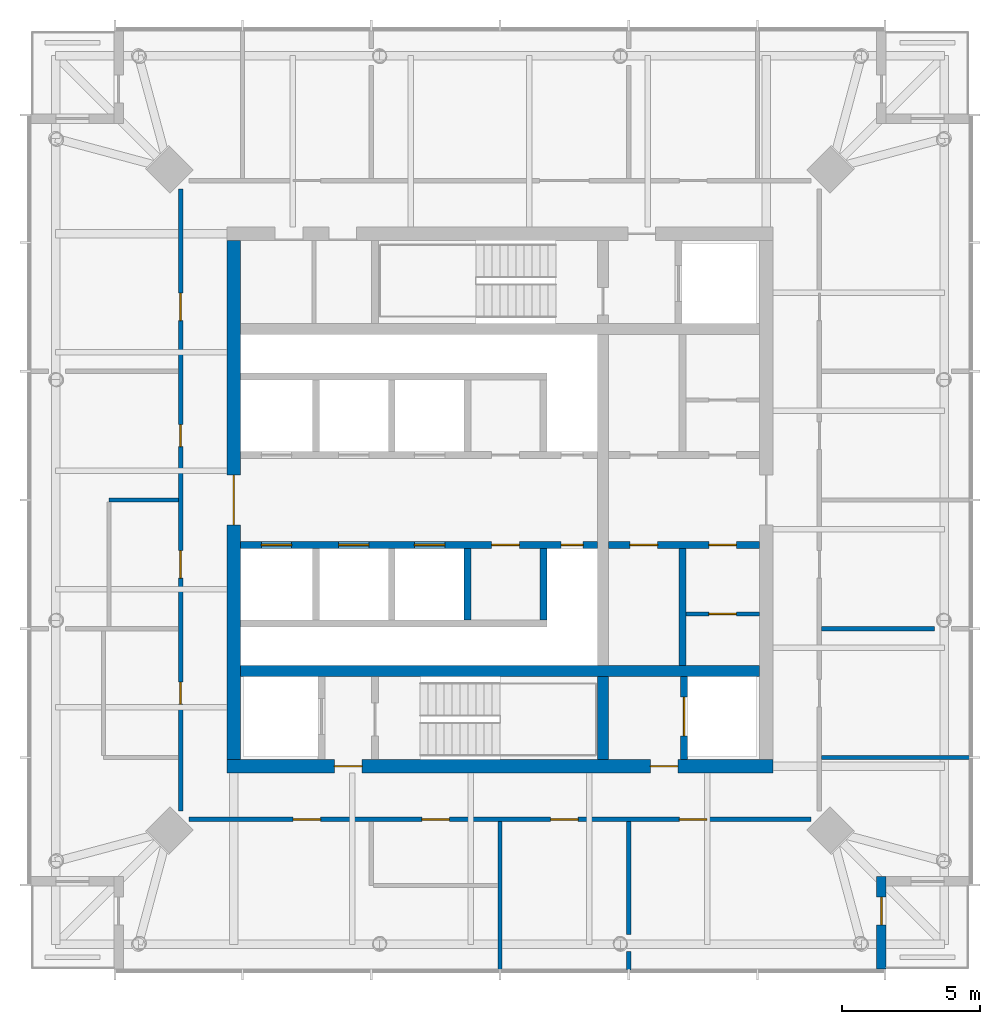
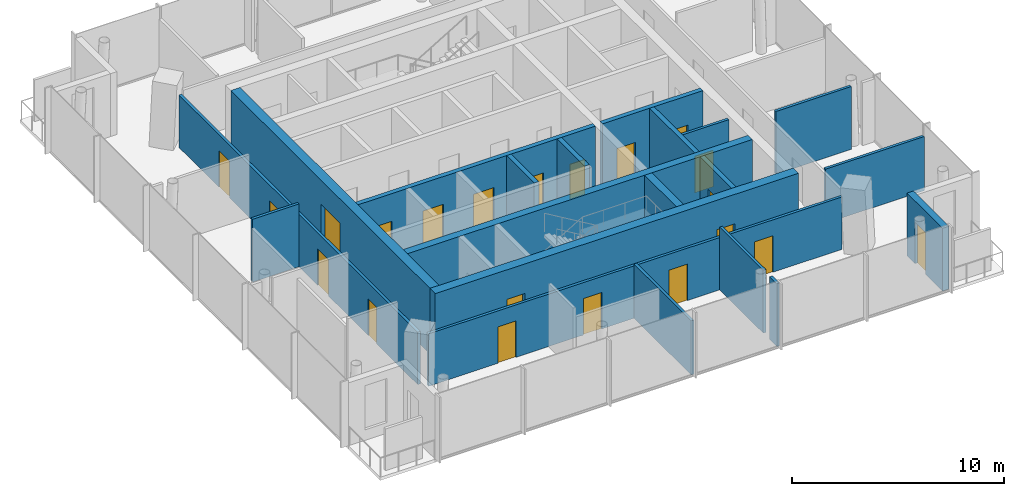
# One storey, part 4 of 7: 21 doors, 20 walls, 21 openings.
"""IFC4 building model written with IfcOpenShell, lengths in metres."""

from ifc_helpers import new_model, si_unit, direction, frame, frame_2d, origin, place, context, subcontext, project, spatial, rectangle, extrude, material, layer, layer_set, type_object, element, fill, save


model = new_model("IFC4")

# Units and contexts
model_context = context("Model", 3, precision=1e-05, world=origin(), true_north=direction((0.0, 1.0)))
body_context = subcontext(model_context, "Body", "Model", "MODEL_VIEW")
ifc_project = project(units=[si_unit("LENGTHUNIT", "METRE"), si_unit("AREAUNIT", "SQUARE_METRE"), si_unit("VOLUMEUNIT", "CUBIC_METRE"), si_unit("PLANEANGLEUNIT", "RADIAN"), si_unit("MASSUNIT", "GRAM", prefix="KILO")], contexts=[model_context])

# Site, building, storey
site_placement = place(None, origin())
site = spatial("IfcSite", under=ifc_project, at=site_placement, CompositionType="ELEMENT")
building_placement = place(site_placement, origin())
building = spatial("IfcBuilding", under=site, at=building_placement, Name="Ostroluk Exchange", CompositionType="ELEMENT")
storey_placement = place(building_placement, frame((0.0, 0.0, 268.0)))
storey = spatial("IfcBuildingStorey", under=building, at=storey_placement, Name="L69", CompositionType="ELEMENT", Elevation=268.0)

# Wall, opening, door
ifc_material_1 = material(Name="Concrete blockwork", Category="masonry")
ifc_layer_1 = layer(ifc_material_1, 0.14990234375)
ifc_layer_set_1 = layer_set([ifc_layer_1], Name="Blockwork plant room wall 150")
wall_type_1 = type_object("IfcWallType", Name="Blockwork plant room wall 150", PredefinedType="SOLIDWALL", material=ifc_layer_set_1)
wall_1_placement = place(storey_placement, frame((51.739990234375, 41.8701171875, 0.0), z_axis=(0.0, 0.0, 1.0), x_axis=(1.0, 0.0, 0.0)))
wall_1 = element("IfcWall", 1, at=wall_1_placement, inside=storey, type_object=wall_type_1, Name="Core room wall", PredefinedType="SOLIDWALL", context=body_context, shape_type="SweptSolid", body=[
    extrude(rectangle(XDim=2.659912109375, YDim=0.14990234375, at=frame_2d((1.330078125, 0.0))), origin(), (0.0, 0.0, 1.0), 3.6201171875),
])
opening_1_placement = place(wall_1_placement, frame((0.830078125, 0.0, 0.0)))
opening_1 = element("IfcOpeningElement", 2, at=opening_1_placement, cuts=wall_1, Name="Opening FD60", PredefinedType="OPENING", context=body_context, shape_type="SweptSolid", body=[
    extrude(rectangle(XDim=1.0, YDim=2.10009765625, at=frame_2d((0.5, 1.050048828125))), frame((0.0, 0.0849609375, 0.0), z_axis=(0.0, -1.0, 0.0), x_axis=(1.0, 0.0, 0.0)), (0.0, 0.0, 1.0), 0.169921875),
])
ifc_material_2 = material(Name="Steel", Category="steel")
door_type_1 = type_object("IfcDoorType", Name="Fire door EI 60 1000 x 2100", OperationType="SINGLE_SWING_LEFT", PredefinedType="DOOR", material=ifc_material_2)
door_1_placement = place(opening_1_placement, origin())
door_1 = element("IfcDoor", 3, at=door_1_placement, inside=storey, type_object=door_type_1, Name="Store door", OperationType="SINGLE_SWING_RIGHT", OverallHeight=2.10009765625, OverallWidth=1.0, PredefinedType="DOOR", context=body_context, shape_type="SweptSolid", body=[
    extrude(rectangle(XDim=1.0, YDim=2.10009765625, at=frame_2d((0.5, 1.050048828125))), frame((0.0, 0.02490234375, 0.0), z_axis=(0.0, -1.0, 0.0), x_axis=(1.0, 0.0, 0.0)), (0.0, 0.0, 1.0), 0.050048828125),
])
fill(opening_1, door_1)

# Walls
ifc_material_3 = material(Name="Concrete C50/60", Category="concrete")
ifc_layer_2 = layer(ifc_material_3, 0.39990234375)
ifc_layer_set_2 = layer_set([ifc_layer_2], Name="Core cross wall 400 C50/60")
wall_type_2 = type_object("IfcWallType", Name="Core cross wall 400 C50/60", PredefinedType="SHEAR", material=ifc_layer_set_2)
wall_2_placement = place(storey_placement, frame((35.60009765625, 39.800048828125, 0.0), z_axis=(0.0, 0.0, 1.0), x_axis=(1.0, 0.0, 0.0)))
element("IfcWall", 4, at=wall_2_placement, inside=storey, type_object=wall_type_2, Name="T1 core wall XS", PredefinedType="SHEAR", context=body_context, shape_type="SweptSolid", body=[
    extrude(rectangle(XDim=18.7998046875, YDim=0.39990234375, at=frame_2d((9.39990234375, 0.0))), origin(), (0.0, 0.0, 1.0), 3.800048828125),
])
wall_3_placement = place(storey_placement, frame((48.72998046875, 36.60009765625, 0.0), z_axis=(0.0, 0.0, 1.0), x_axis=(0.0, 1.0, 0.0)))
element("IfcWall", 5, at=wall_3_placement, inside=storey, type_object=wall_type_2, Name="T1 core wall YE1", PredefinedType="SHEAR", context=body_context, shape_type="SweptSolid", body=[
    extrude(rectangle(XDim=3.0, YDim=0.39990234375, at=frame_2d((1.5, 0.0))), origin(), (0.0, 0.0, 1.0), 3.800048828125),
])

# Wall, opening, door
ifc_material_4 = material(Name="Concrete C40/50", Category="concrete")
ifc_layer_3 = layer(ifc_material_4, 0.25)
ifc_layer_set_3 = layer_set([ifc_layer_3], Name="Core shaft wall 250")
wall_type_3 = type_object("IfcWallType", Name="Core shaft wall 250", PredefinedType="SHEAR", material=ifc_layer_set_3)
wall_4_placement = place(storey_placement, frame((51.675048828125, 36.60009765625, 0.0), z_axis=(0.0, 0.0, 1.0), x_axis=(0.0, 1.0, 0.0)))
wall_4 = element("IfcWall", 6, at=wall_4_placement, inside=storey, type_object=wall_type_3, Name="Service lift shaft wall", PredefinedType="SHEAR", context=body_context, shape_type="SweptSolid", body=[
    extrude(rectangle(XDim=3.0, YDim=0.25, at=frame_2d((1.5, 0.0))), origin(), (0.0, 0.0, 1.0), 3.800048828125),
])
opening_2_placement = place(wall_4_placement, frame((0.85009765625, 0.0, 0.0)))
opening_2 = element("IfcOpeningElement", 7, at=opening_2_placement, cuts=wall_4, Name="Opening LD3", PredefinedType="OPENING", context=body_context, shape_type="SweptSolid", body=[
    extrude(rectangle(XDim=1.39990234375, YDim=2.39990234375, at=frame_2d((0.699951171875, 1.199951171875))), frame((0.0, 0.135009765625, 0.0), z_axis=(0.0, -1.0, 0.0), x_axis=(1.0, 0.0, 0.0)), (0.0, 0.0, 1.0), 0.27001953125),
])
ifc_material_5 = material(Name="Stainless steel", Category="steel")
door_type_2 = type_object("IfcDoorType", Name="Goods lift landing door E 60 1400 x 2400", OperationType="DOUBLE_DOOR_SLIDING", PredefinedType="DOOR", material=ifc_material_5)
door_2_placement = place(opening_2_placement, origin())
door_2 = element("IfcDoor", 8, at=door_2_placement, inside=storey, type_object=door_type_2, Name="Lift SL1 landing door", OperationType="DOUBLE_DOOR_SLIDING", OverallHeight=2.39990234375, OverallWidth=1.39990234375, PredefinedType="DOOR", context=body_context, shape_type="SweptSolid", body=[
    extrude(rectangle(XDim=1.39990234375, YDim=2.39990234375, at=frame_2d((0.699951171875, 1.199951171875))), frame((0.0, 0.02490234375, 0.0), z_axis=(0.0, -1.0, 0.0), x_axis=(1.0, 0.0, 0.0)), (0.0, 0.0, 1.0), 0.050048828125),
])
fill(opening_2, door_2)

# Walls
for number, where, z_axis, x_axis, name in (
    (9, (43.824951171875, 44.25, 0.0), (0.0, 0.0, 1.0), (0.0, -1.0, 0.0), "Lift shaft wall"),
    (10, (46.574951171875, 44.25, 0.0), (0.0, 0.0, 1.0), (0.0, -1.0, 0.0), "Lift shaft wall"),
):
    element("IfcWall", number, at=place(storey_placement, frame(where, z_axis=z_axis, x_axis=x_axis)), inside=storey, type_object=wall_type_3, Name=name, PredefinedType="SHEAR", context=body_context, shape_type="SweptSolid", body=[
        extrude(rectangle(XDim=2.60009765625, YDim=0.25, at=frame_2d((1.300048828125, 0.0))), origin(), (0.0, 0.0, 1.0), 3.800048828125),
    ])

# Wall, openings, doors
wall_5_placement = place(storey_placement, frame((35.60009765625, 44.375, 0.0), z_axis=(0.0, 0.0, 1.0), x_axis=(1.0, 0.0, 0.0)))
wall_5 = element("IfcWall", 11, at=wall_5_placement, inside=storey, type_object=wall_type_3, Name="Lift shaft front wall", PredefinedType="SHEAR", context=body_context, shape_type="SweptSolid", body=[
    extrude(rectangle(XDim=12.929931640625, YDim=0.25, at=frame_2d((6.46484375, 0.0))), origin(), (0.0, 0.0, 1.0), 3.800048828125),
])
opening_3_placement = place(wall_5_placement, frame((0.75, 0.0, 0.0)))
opening_3 = element("IfcOpeningElement", 12, at=opening_3_placement, cuts=wall_5, Name="Opening LD", PredefinedType="OPENING", context=body_context, shape_type="SweptSolid", body=[
    extrude(rectangle(XDim=1.10009765625, YDim=2.199951171875, at=frame_2d((0.550048828125, 1.10009765625))), frame((0.0, 0.135009765625, 0.0), z_axis=(0.0, -1.0, 0.0), x_axis=(1.0, 0.0, 0.0)), (0.0, 0.0, 1.0), 0.27001953125),
])
opening_4_placement = place(wall_5_placement, frame((3.550048828125, 0.0, 0.0)))
opening_4 = element("IfcOpeningElement", 13, at=opening_4_placement, cuts=wall_5, Name="Opening LD", PredefinedType="OPENING", context=body_context, shape_type="SweptSolid", body=[
    extrude(rectangle(XDim=1.10009765625, YDim=2.199951171875, at=frame_2d((0.550048828125, 1.10009765625))), frame((0.0, 0.135009765625, 0.0), z_axis=(0.0, -1.0, 0.0), x_axis=(1.0, 0.0, 0.0)), (0.0, 0.0, 1.0), 0.27001953125),
])
opening_5_placement = place(wall_5_placement, frame((6.300048828125, 0.0, 0.0)))
opening_5 = element("IfcOpeningElement", 14, at=opening_5_placement, cuts=wall_5, Name="Opening LD", PredefinedType="OPENING", context=body_context, shape_type="SweptSolid", body=[
    extrude(rectangle(XDim=1.10009765625, YDim=2.199951171875, at=frame_2d((0.550048828125, 1.10009765625))), frame((0.0, 0.135009765625, 0.0), z_axis=(0.0, -1.0, 0.0), x_axis=(1.0, 0.0, 0.0)), (0.0, 0.0, 1.0), 0.27001953125),
])
opening_6_placement = place(wall_5_placement, frame((9.10009765625, 0.0, 0.0)))
opening_6 = element("IfcOpeningElement", 15, at=opening_6_placement, cuts=wall_5, Name="Opening FD60", PredefinedType="OPENING", context=body_context, shape_type="SweptSolid", body=[
    extrude(rectangle(XDim=1.0, YDim=2.10009765625, at=frame_2d((0.5, 1.050048828125))), frame((0.0, 0.135009765625, 0.0), z_axis=(0.0, -1.0, 0.0), x_axis=(1.0, 0.0, 0.0)), (0.0, 0.0, 1.0), 0.27001953125),
])
opening_7_placement = place(wall_5_placement, frame((11.614990234375, 0.0, 0.0)))
opening_7 = element("IfcOpeningElement", 16, at=opening_7_placement, cuts=wall_5, Name="Opening RD60", PredefinedType="OPENING", context=body_context, shape_type="SweptSolid", body=[
    extrude(rectangle(XDim=0.800048828125, YDim=2.0, at=frame_2d((0.39990234375, 1.0))), frame((0.0, 0.135009765625, 0.0), z_axis=(0.0, -1.0, 0.0), x_axis=(1.0, 0.0, 0.0)), (0.0, 0.0, 1.0), 0.27001953125),
])
door_3_placement = place(opening_6_placement, origin())
door_3 = element("IfcDoor", 17, at=door_3_placement, inside=storey, type_object=door_type_1, Name="Core room door", OperationType="SINGLE_SWING_RIGHT", OverallHeight=2.10009765625, OverallWidth=1.0, PredefinedType="DOOR", context=body_context, shape_type="SweptSolid", body=[
    extrude(rectangle(XDim=1.0, YDim=2.10009765625, at=frame_2d((0.5, 1.050048828125))), frame((0.0, 0.02490234375, 0.0), z_axis=(0.0, -1.0, 0.0), x_axis=(1.0, 0.0, 0.0)), (0.0, 0.0, 1.0), 0.050048828125),
])
fill(opening_6, door_3)
ifc_material_6 = material(Name="Stainless steel", Category="steel")
door_type_3 = type_object("IfcDoorType", Name="Lift landing door E 60 1100 x 2200", OperationType="DOUBLE_DOOR_SLIDING", PredefinedType="DOOR", material=ifc_material_6)
door_4_placement = place(opening_3_placement, origin())
door_4 = element("IfcDoor", 18, at=door_4_placement, inside=storey, type_object=door_type_3, Name="Lift PL-T4 landing door", OperationType="DOUBLE_DOOR_SLIDING", OverallHeight=2.199951171875, OverallWidth=1.10009765625, PredefinedType="DOOR", context=body_context, shape_type="SweptSolid", body=[
    extrude(rectangle(XDim=1.10009765625, YDim=2.199951171875, at=frame_2d((0.550048828125, 1.10009765625))), frame((0.0, 0.02490234375, 0.0), z_axis=(0.0, -1.0, 0.0), x_axis=(1.0, 0.0, 0.0)), (0.0, 0.0, 1.0), 0.050048828125),
])
fill(opening_3, door_4)
door_5_placement = place(opening_4_placement, origin())
door_5 = element("IfcDoor", 19, at=door_5_placement, inside=storey, type_object=door_type_3, Name="Lift PL-T5 landing door", OperationType="DOUBLE_DOOR_SLIDING", OverallHeight=2.199951171875, OverallWidth=1.10009765625, PredefinedType="DOOR", context=body_context, shape_type="SweptSolid", body=[
    extrude(rectangle(XDim=1.10009765625, YDim=2.199951171875, at=frame_2d((0.550048828125, 1.10009765625))), frame((0.0, 0.02490234375, 0.0), z_axis=(0.0, -1.0, 0.0), x_axis=(1.0, 0.0, 0.0)), (0.0, 0.0, 1.0), 0.050048828125),
])
fill(opening_4, door_5)
door_6_placement = place(opening_5_placement, origin())
door_6 = element("IfcDoor", 20, at=door_6_placement, inside=storey, type_object=door_type_3, Name="Lift PL-T6 landing door", OperationType="DOUBLE_DOOR_SLIDING", OverallHeight=2.199951171875, OverallWidth=1.10009765625, PredefinedType="DOOR", context=body_context, shape_type="SweptSolid", body=[
    extrude(rectangle(XDim=1.10009765625, YDim=2.199951171875, at=frame_2d((0.550048828125, 1.10009765625))), frame((0.0, 0.02490234375, 0.0), z_axis=(0.0, -1.0, 0.0), x_axis=(1.0, 0.0, 0.0)), (0.0, 0.0, 1.0), 0.050048828125),
])
fill(opening_5, door_6)
ifc_material_7 = material(Name="Steel", Category="steel")
door_type_4 = type_object("IfcDoorType", Name="Riser access door EI 60 800 x 2000", OperationType="SINGLE_SWING_LEFT", PredefinedType="DOOR", material=ifc_material_7)
door_7_placement = place(opening_7_placement, origin())
door_7 = element("IfcDoor", 21, at=door_7_placement, inside=storey, type_object=door_type_4, Name="Riser access door", OperationType="SINGLE_SWING_RIGHT", OverallHeight=2.0, OverallWidth=0.800048828125, PredefinedType="DOOR", context=body_context, shape_type="SweptSolid", body=[
    extrude(rectangle(XDim=0.800048828125, YDim=2.0, at=frame_2d((0.39990234375, 1.0))), frame((0.0, 0.02490234375, 0.0), z_axis=(0.0, -1.0, 0.0), x_axis=(1.0, 0.0, 0.0)), (0.0, 0.0, 1.0), 0.050048828125),
])
fill(opening_7, door_7)

# Wall
wall_6_placement = place(storey_placement, frame((51.614990234375, 44.25, 0.0), z_axis=(0.0, 0.0, 1.0), x_axis=(0.0, -1.0, 0.0)))
element("IfcWall", 22, at=wall_6_placement, inside=storey, type_object=wall_type_3, Name="Lift shaft wall", PredefinedType="SHEAR", context=body_context, shape_type="SweptSolid", body=[
    extrude(rectangle(XDim=4.25, YDim=0.25, at=frame_2d((2.125, 0.0))), origin(), (0.0, 0.0, 1.0), 3.800048828125),
])

# Wall, openings, doors
wall_7_placement = place(storey_placement, frame((48.929931640625, 44.375, 0.0), z_axis=(0.0, 0.0, 1.0), x_axis=(1.0, 0.0, 0.0)))
wall_7 = element("IfcWall", 23, at=wall_7_placement, inside=storey, type_object=wall_type_3, Name="Lift shaft front wall", PredefinedType="SHEAR", context=body_context, shape_type="SweptSolid", body=[
    extrude(rectangle(XDim=5.469970703125, YDim=0.25, at=frame_2d((2.73486328125, 0.0))), origin(), (0.0, 0.0, 1.0), 3.800048828125),
])
opening_8_placement = place(wall_7_placement, frame((0.780029296875, 0.0, 0.0)))
opening_8 = element("IfcOpeningElement", 24, at=opening_8_placement, cuts=wall_7, Name="Opening FD60", PredefinedType="OPENING", context=body_context, shape_type="SweptSolid", body=[
    extrude(rectangle(XDim=1.0, YDim=2.10009765625, at=frame_2d((0.5, 1.050048828125))), frame((0.0, 0.135009765625, 0.0), z_axis=(0.0, -1.0, 0.0), x_axis=(1.0, 0.0, 0.0)), (0.0, 0.0, 1.0), 0.27001953125),
])
opening_9_placement = place(wall_7_placement, frame((3.639892578125, 0.0, 0.0)))
opening_9 = element("IfcOpeningElement", 25, at=opening_9_placement, cuts=wall_7, Name="Opening FD60", PredefinedType="OPENING", context=body_context, shape_type="SweptSolid", body=[
    extrude(rectangle(XDim=1.0, YDim=2.10009765625, at=frame_2d((0.5, 1.050048828125))), frame((0.0, 0.135009765625, 0.0), z_axis=(0.0, -1.0, 0.0), x_axis=(1.0, 0.0, 0.0)), (0.0, 0.0, 1.0), 0.27001953125),
])
door_8_placement = place(opening_8_placement, origin())
door_8 = element("IfcDoor", 26, at=door_8_placement, inside=storey, type_object=door_type_1, Name="Core room door", OperationType="SINGLE_SWING_LEFT", OverallHeight=2.10009765625, OverallWidth=1.0, PredefinedType="DOOR", context=body_context, shape_type="SweptSolid", body=[
    extrude(rectangle(XDim=1.0, YDim=2.10009765625, at=frame_2d((0.5, 1.050048828125))), frame((0.0, 0.02490234375, 0.0), z_axis=(0.0, -1.0, 0.0), x_axis=(1.0, 0.0, 0.0)), (0.0, 0.0, 1.0), 0.050048828125),
])
fill(opening_8, door_8)
door_9_placement = place(opening_9_placement, origin())
door_9 = element("IfcDoor", 27, at=door_9_placement, inside=storey, type_object=door_type_1, Name="Core room door", OperationType="SINGLE_SWING_RIGHT", OverallHeight=2.10009765625, OverallWidth=1.0, PredefinedType="DOOR", context=body_context, shape_type="SweptSolid", body=[
    extrude(rectangle(XDim=1.0, YDim=2.10009765625, at=frame_2d((0.5, 1.050048828125))), frame((0.0, 0.02490234375, 0.0), z_axis=(0.0, -1.0, 0.0), x_axis=(1.0, 0.0, 0.0)), (0.0, 0.0, 1.0), 0.050048828125),
])
fill(opening_9, door_9)

ifc_material_8 = material(Name="Concrete C50/60", Category="concrete")
ifc_layer_4 = layer(ifc_material_8, 0.5)
ifc_layer_set_4 = layer_set([ifc_layer_4], Name="Core wall 500 C50/60")
wall_type_4 = type_object("IfcWallType", Name="Core wall 500 C50/60", PredefinedType="SHEAR", material=ifc_layer_set_4)
wall_8_placement = place(storey_placement, frame((35.10009765625, 36.35009765625, 0.0), z_axis=(0.0, 0.0, 1.0), x_axis=(1.0, 0.0, 0.0)))
wall_8 = element("IfcWall", 28, at=wall_8_placement, inside=storey, type_object=wall_type_4, Name="T1 core wall S", PredefinedType="SHEAR", context=body_context, shape_type="SweptSolid", body=[
    extrude(rectangle(XDim=19.7998046875, YDim=0.5, at=frame_2d((9.89990234375, 0.0))), origin(), (0.0, 0.0, 1.0), 3.800048828125),
])
opening_10_placement = place(wall_8_placement, frame((3.89990234375, 0.0, 0.0)))
opening_10 = element("IfcOpeningElement", 29, at=opening_10_placement, cuts=wall_8, Name="Opening FD60", PredefinedType="OPENING", context=body_context, shape_type="SweptSolid", body=[
    extrude(rectangle(XDim=1.0, YDim=2.10009765625, at=frame_2d((0.5, 1.050048828125))), frame((0.0, 0.260009765625, 0.0), z_axis=(0.0, -1.0, 0.0), x_axis=(1.0, 0.0, 0.0)), (0.0, 0.0, 1.0), 0.52001953125),
])
opening_11_placement = place(wall_8_placement, frame((15.35009765625, 0.0, 0.0)))
opening_11 = element("IfcOpeningElement", 30, at=opening_11_placement, cuts=wall_8, Name="Opening FD60", PredefinedType="OPENING", context=body_context, shape_type="SweptSolid", body=[
    extrude(rectangle(XDim=1.0, YDim=2.10009765625, at=frame_2d((0.5, 1.050048828125))), frame((0.0, 0.260009765625, 0.0), z_axis=(0.0, -1.0, 0.0), x_axis=(1.0, 0.0, 0.0)), (0.0, 0.0, 1.0), 0.52001953125),
])
door_10_placement = place(opening_10_placement, origin())
door_10 = element("IfcDoor", 31, at=door_10_placement, inside=storey, type_object=door_type_1, Name="Firefighting lobby door", OperationType="SINGLE_SWING_LEFT", OverallHeight=2.10009765625, OverallWidth=1.0, PredefinedType="DOOR", context=body_context, shape_type="SweptSolid", body=[
    extrude(rectangle(XDim=1.0, YDim=2.10009765625, at=frame_2d((0.5, 1.050048828125))), frame((0.0, 0.02490234375, 0.0), z_axis=(0.0, -1.0, 0.0), x_axis=(1.0, 0.0, 0.0)), (0.0, 0.0, 1.0), 0.050048828125),
])
fill(opening_10, door_10)
door_11_placement = place(opening_11_placement, origin())
door_11 = element("IfcDoor", 32, at=door_11_placement, inside=storey, type_object=door_type_1, Name="Service lobby door", OperationType="SINGLE_SWING_RIGHT", OverallHeight=2.10009765625, OverallWidth=1.0, PredefinedType="DOOR", context=body_context, shape_type="SweptSolid", body=[
    extrude(rectangle(XDim=1.0, YDim=2.10009765625, at=frame_2d((0.5, 1.050048828125))), frame((0.0, 0.02490234375, 0.0), z_axis=(0.0, -1.0, 0.0), x_axis=(1.0, 0.0, 0.0)), (0.0, 0.0, 1.0), 0.050048828125),
])
fill(opening_11, door_11)

# Wall, opening, door
wall_9_placement = place(storey_placement, frame((35.35009765625, 36.60009765625, 0.0), z_axis=(0.0, 0.0, 1.0), x_axis=(0.0, 1.0, 0.0)))
wall_9 = element("IfcWall", 33, at=wall_9_placement, inside=storey, type_object=wall_type_4, Name="T1 core wall W", PredefinedType="SHEAR", context=body_context, shape_type="SweptSolid", body=[
    extrude(rectangle(XDim=18.7998046875, YDim=0.5, at=frame_2d((9.39990234375, 0.0))), origin(), (0.0, 0.0, 1.0), 3.800048828125),
])
opening_12_placement = place(wall_9_placement, frame((8.5, 0.0, 0.0)))
opening_12 = element("IfcOpeningElement", 34, at=opening_12_placement, cuts=wall_9, Name="Opening FD30D", PredefinedType="OPENING", context=body_context, shape_type="SweptSolid", body=[
    extrude(rectangle(XDim=1.800048828125, YDim=2.39990234375, at=frame_2d((0.89990234375, 1.199951171875))), frame((0.0, 0.260009765625, 0.0), z_axis=(0.0, -1.0, 0.0), x_axis=(1.0, 0.0, 0.0)), (0.0, 0.0, 1.0), 0.52001953125),
])
ifc_material_9 = material(Name="Timber", Category="wood")
door_type_5 = type_object("IfcDoorType", Name="Lobby double door EI 30 1800 x 2400", OperationType="DOUBLE_DOOR_SINGLE_SWING", PredefinedType="DOOR", material=ifc_material_9)
door_12_placement = place(opening_12_placement, origin())
door_12 = element("IfcDoor", 35, at=door_12_placement, inside=storey, type_object=door_type_5, Name="Lift lobby doors", OperationType="DOUBLE_DOOR_SINGLE_SWING", OverallHeight=2.39990234375, OverallWidth=1.800048828125, PredefinedType="DOOR", context=body_context, shape_type="SweptSolid", body=[
    extrude(rectangle(XDim=1.800048828125, YDim=2.39990234375, at=frame_2d((0.89990234375, 1.199951171875))), frame((0.0, 0.02490234375, 0.0), z_axis=(0.0, -1.0, 0.0), x_axis=(1.0, 0.0, 0.0)), (0.0, 0.0, 1.0), 0.050048828125),
])
fill(opening_12, door_12)

ifc_material_10 = material(Name="Limestone", Category="masonry")
ifc_layer_5 = layer(ifc_material_10, 0.35009765625)
ifc_layer_set_5 = layer_set([ifc_layer_5], Name="Limestone facade wall 350")
wall_type_5 = type_object("IfcWallType", Name="Limestone facade wall 350", PredefinedType="SOLIDWALL", material=ifc_layer_set_5)
wall_10_placement = place(storey_placement, frame((58.824951171875, 29.0, 0.0), z_axis=(0.0, 0.0, 1.0), x_axis=(0.0, 1.0, 0.0)))
wall_10 = element("IfcWall", 36, at=wall_10_placement, inside=storey, type_object=wall_type_5, Name="Office tower SE corner wall L69 a", PredefinedType="SOLIDWALL", context=body_context, shape_type="SweptSolid", body=[
    extrude(rectangle(XDim=3.35009765625, YDim=0.35009765625, at=frame_2d((1.675048828125, 0.0))), origin(), (0.0, 0.0, 1.0), 3.6201171875),
])
opening_13_placement = place(wall_10_placement, frame((1.60009765625, 0.0, 0.0)))
opening_13 = element("IfcOpeningElement", 37, at=opening_13_placement, cuts=wall_10, Name="Opening D-B1", PredefinedType="OPENING", context=body_context, shape_type="SweptSolid", body=[
    extrude(rectangle(XDim=1.0, YDim=2.39990234375, at=frame_2d((0.5, 1.199951171875))), frame((0.0, 0.18505859375, 0.0), z_axis=(0.0, -1.0, 0.0), x_axis=(1.0, 0.0, 0.0)), (0.0, 0.0, 1.0), 0.3701171875),
])
ifc_material_11 = material(Name="Bronze framed glazed door", Category="aluminium")
door_type_6 = type_object("IfcDoorType", Name="Balcony door 1000 x 2400", OperationType="SINGLE_SWING_LEFT", PredefinedType="DOOR", material=ifc_material_11)
door_13_placement = place(opening_13_placement, origin())
door_13 = element("IfcDoor", 38, at=door_13_placement, inside=storey, type_object=door_type_6, Name="Office tower SE balcony door L69", OperationType="SINGLE_SWING_RIGHT", OverallHeight=2.39990234375, OverallWidth=1.0, PredefinedType="DOOR", context=body_context, shape_type="SweptSolid", body=[
    extrude(rectangle(XDim=1.0, YDim=2.39990234375, at=frame_2d((0.5, 1.199951171875))), frame((0.0, 0.02490234375, 0.0), z_axis=(0.0, -1.0, 0.0), x_axis=(1.0, 0.0, 0.0)), (0.0, 0.0, 1.0), 0.050048828125),
])
fill(opening_13, door_13)

# Walls
ifc_material_12 = material(Name="Gypsum plasterboard partition", Category="gypsum")
ifc_layer_6 = layer(ifc_material_12, 0.14990234375)
ifc_layer_set_6 = layer_set([ifc_layer_6], Name="Plasterboard partition 150")
wall_type_6 = type_object("IfcWallType", Name="Plasterboard partition 150", PredefinedType="PARTITIONING", material=ifc_layer_set_6)
wall_11_placement = place(storey_placement, frame((56.64990234375, 36.666748046875, 0.0), z_axis=(0.0, 0.0, 1.0), x_axis=(1.0, 0.0, 0.0)))
element("IfcWall", 39, at=wall_11_placement, inside=storey, type_object=wall_type_6, Name="Partition", PredefinedType="PARTITIONING", context=body_context, shape_type="SweptSolid", body=[
    extrude(rectangle(XDim=5.39013671875, YDim=0.14990234375, at=frame_2d((2.695068359375, 0.0))), origin(), (0.0, 0.0, 1.0), 3.1201171875),
])
wall_12_placement = place(storey_placement, frame((56.64990234375, 41.333251953125, 0.0), z_axis=(0.0, 0.0, 1.0), x_axis=(1.0, 0.0, 0.0)))
element("IfcWall", 40, at=wall_12_placement, inside=storey, type_object=wall_type_6, Name="Partition", PredefinedType="PARTITIONING", context=body_context, shape_type="SweptSolid", body=[
    extrude(rectangle(XDim=4.109130859375, YDim=0.14990234375, at=frame_2d((2.0546875, 0.0))), origin(), (0.0, 0.0, 1.0), 3.6201171875),
])

# Wall, openings, doors
wall_13_placement = place(storey_placement, frame((33.425048828125, 57.27294921875, 0.0), z_axis=(0.0, 0.0, 1.0), x_axis=(0.0, -1.0, 0.0)))
wall_13 = element("IfcWall", 41, at=wall_13_placement, inside=storey, type_object=wall_type_6, Name="Partition", PredefinedType="PARTITIONING", context=body_context, shape_type="SweptSolid", body=[
    extrude(rectangle(XDim=22.5458984375, YDim=0.14990234375, at=frame_2d((11.27294921875, 0.0))), origin(), (0.0, 0.0, 1.0), 3.02001953125),
])
opening_14_placement = place(wall_13_placement, frame((3.77294921875, 0.0, 0.0)))
opening_14 = element("IfcOpeningElement", 42, at=opening_14_placement, cuts=wall_13, Name="Opening D-03", PredefinedType="OPENING", context=body_context, shape_type="SweptSolid", body=[
    extrude(rectangle(XDim=1.0, YDim=2.10009765625, at=frame_2d((0.5, 1.050048828125))), frame((0.0, 0.0849609375, 0.0), z_axis=(0.0, -1.0, 0.0), x_axis=(1.0, 0.0, 0.0)), (0.0, 0.0, 1.0), 0.169921875),
])
opening_15_placement = place(wall_13_placement, frame((8.53955078125, 0.0, 0.0)))
opening_15 = element("IfcOpeningElement", 43, at=opening_15_placement, cuts=wall_13, Name="Opening D-06", PredefinedType="OPENING", context=body_context, shape_type="SweptSolid", body=[
    extrude(rectangle(XDim=0.800048828125, YDim=2.10009765625, at=frame_2d((0.39990234375, 1.050048828125))), frame((0.0, 0.0849609375, 0.0), z_axis=(0.0, -1.0, 0.0), x_axis=(1.0, 0.0, 0.0)), (0.0, 0.0, 1.0), 0.169921875),
])
opening_16_placement = place(wall_13_placement, frame((13.106201171875, 0.0, 0.0)))
opening_16 = element("IfcOpeningElement", 44, at=opening_16_placement, cuts=wall_13, Name="Opening D-03", PredefinedType="OPENING", context=body_context, shape_type="SweptSolid", body=[
    extrude(rectangle(XDim=1.0, YDim=2.10009765625, at=frame_2d((0.5, 1.050048828125))), frame((0.0, 0.0849609375, 0.0), z_axis=(0.0, -1.0, 0.0), x_axis=(1.0, 0.0, 0.0)), (0.0, 0.0, 1.0), 0.169921875),
])
opening_17_placement = place(wall_13_placement, frame((17.872802734375, 0.0, 0.0)))
opening_17 = element("IfcOpeningElement", 45, at=opening_17_placement, cuts=wall_13, Name="Opening D-06", PredefinedType="OPENING", context=body_context, shape_type="SweptSolid", body=[
    extrude(rectangle(XDim=0.800048828125, YDim=2.10009765625, at=frame_2d((0.39990234375, 1.050048828125))), frame((0.0, 0.0849609375, 0.0), z_axis=(0.0, -1.0, 0.0), x_axis=(1.0, 0.0, 0.0)), (0.0, 0.0, 1.0), 0.169921875),
])
ifc_material_13 = material(Name="Timber", Category="wood")
door_type_7 = type_object("IfcDoorType", Name="Internal door 1000 x 2100", OperationType="SINGLE_SWING_LEFT", PredefinedType="DOOR", material=ifc_material_13)
door_14_placement = place(opening_14_placement, origin())
door_14 = element("IfcDoor", 46, at=door_14_placement, inside=storey, type_object=door_type_7, Name="Corner office door", OperationType="SINGLE_SWING_LEFT", OverallHeight=2.10009765625, OverallWidth=1.0, PredefinedType="DOOR", context=body_context, shape_type="SweptSolid", body=[
    extrude(rectangle(XDim=1.0, YDim=2.10009765625, at=frame_2d((0.5, 1.050048828125))), frame((0.0, 0.02490234375, 0.0), z_axis=(0.0, -1.0, 0.0), x_axis=(1.0, 0.0, 0.0)), (0.0, 0.0, 1.0), 0.050048828125),
])
fill(opening_14, door_14)
door_15_placement = place(opening_16_placement, origin())
door_15 = element("IfcDoor", 47, at=door_15_placement, inside=storey, type_object=door_type_7, Name="Accessible WC door", OperationType="SINGLE_SWING_RIGHT", OverallHeight=2.10009765625, OverallWidth=1.0, PredefinedType="DOOR", context=body_context, shape_type="SweptSolid", body=[
    extrude(rectangle(XDim=1.0, YDim=2.10009765625, at=frame_2d((0.5, 1.050048828125))), frame((0.0, 0.02490234375, 0.0), z_axis=(0.0, -1.0, 0.0), x_axis=(1.0, 0.0, 0.0)), (0.0, 0.0, 1.0), 0.050048828125),
])
fill(opening_16, door_15)
ifc_material_14 = material(Name="Timber", Category="wood")
door_type_8 = type_object("IfcDoorType", Name="Toilet door 800 x 2100", OperationType="SINGLE_SWING_LEFT", PredefinedType="DOOR", material=ifc_material_14)
door_16_placement = place(opening_15_placement, origin())
door_16 = element("IfcDoor", 48, at=door_16_placement, inside=storey, type_object=door_type_8, Name="WC female door", OperationType="SINGLE_SWING_LEFT", OverallHeight=2.10009765625, OverallWidth=0.800048828125, PredefinedType="DOOR", context=body_context, shape_type="SweptSolid", body=[
    extrude(rectangle(XDim=0.800048828125, YDim=2.10009765625, at=frame_2d((0.39990234375, 1.050048828125))), frame((0.0, 0.02490234375, 0.0), z_axis=(0.0, -1.0, 0.0), x_axis=(1.0, 0.0, 0.0)), (0.0, 0.0, 1.0), 0.050048828125),
])
fill(opening_15, door_16)
door_17_placement = place(opening_17_placement, origin())
door_17 = element("IfcDoor", 49, at=door_17_placement, inside=storey, type_object=door_type_8, Name="WC male door", OperationType="SINGLE_SWING_RIGHT", OverallHeight=2.10009765625, OverallWidth=0.800048828125, PredefinedType="DOOR", context=body_context, shape_type="SweptSolid", body=[
    extrude(rectangle(XDim=0.800048828125, YDim=2.10009765625, at=frame_2d((0.39990234375, 1.050048828125))), frame((0.0, 0.02490234375, 0.0), z_axis=(0.0, -1.0, 0.0), x_axis=(1.0, 0.0, 0.0)), (0.0, 0.0, 1.0), 0.050048828125),
])
fill(opening_17, door_17)

# Wall
wall_14_placement = place(storey_placement, frame((33.35009765625, 46.0, 0.0), z_axis=(0.0, 0.0, 1.0), x_axis=(-1.0, 0.0, 0.0)))
element("IfcWall", 50, at=wall_14_placement, inside=storey, type_object=wall_type_6, Name="Partition", PredefinedType="PARTITIONING", context=body_context, shape_type="SweptSolid", body=[
    extrude(rectangle(XDim=2.525146484375, YDim=0.14990234375, at=frame_2d((1.2626953125, 0.0))), origin(), (0.0, 0.0, 1.0), 3.6201171875),
])

# Wall, openings, doors
wall_15_placement = place(storey_placement, frame((33.72705078125, 34.425048828125, 0.0), z_axis=(0.0, 0.0, 1.0), x_axis=(1.0, 0.0, 0.0)))
wall_15 = element("IfcWall", 51, at=wall_15_placement, inside=storey, type_object=wall_type_6, Name="Partition", PredefinedType="PARTITIONING", context=body_context, shape_type="SweptSolid", body=[
    extrude(rectangle(XDim=22.5458984375, YDim=0.14990234375, at=frame_2d((11.27294921875, 0.0))), origin(), (0.0, 0.0, 1.0), 3.02001953125),
])
opening_18_placement = place(wall_15_placement, frame((3.77294921875, 0.0, 0.0)))
opening_18 = element("IfcOpeningElement", 52, at=opening_18_placement, cuts=wall_15, Name="Opening D-03", PredefinedType="OPENING", context=body_context, shape_type="SweptSolid", body=[
    extrude(rectangle(XDim=1.0, YDim=2.10009765625, at=frame_2d((0.5, 1.050048828125))), frame((0.0, 0.0849609375, 0.0), z_axis=(0.0, -1.0, 0.0), x_axis=(1.0, 0.0, 0.0)), (0.0, 0.0, 1.0), 0.169921875),
])
opening_19_placement = place(wall_15_placement, frame((8.439453125, 0.0, 0.0)))
opening_19 = element("IfcOpeningElement", 53, at=opening_19_placement, cuts=wall_15, Name="Opening D-03", PredefinedType="OPENING", context=body_context, shape_type="SweptSolid", body=[
    extrude(rectangle(XDim=1.0, YDim=2.10009765625, at=frame_2d((0.5, 1.050048828125))), frame((0.0, 0.0849609375, 0.0), z_axis=(0.0, -1.0, 0.0), x_axis=(1.0, 0.0, 0.0)), (0.0, 0.0, 1.0), 0.169921875),
])
opening_20_placement = place(wall_15_placement, frame((13.106201171875, 0.0, 0.0)))
opening_20 = element("IfcOpeningElement", 54, at=opening_20_placement, cuts=wall_15, Name="Opening D-03", PredefinedType="OPENING", context=body_context, shape_type="SweptSolid", body=[
    extrude(rectangle(XDim=1.0, YDim=2.10009765625, at=frame_2d((0.5, 1.050048828125))), frame((0.0, 0.0849609375, 0.0), z_axis=(0.0, -1.0, 0.0), x_axis=(1.0, 0.0, 0.0)), (0.0, 0.0, 1.0), 0.169921875),
])
opening_21_placement = place(wall_15_placement, frame((17.77294921875, 0.0, 0.0)))
opening_21 = element("IfcOpeningElement", 55, at=opening_21_placement, cuts=wall_15, Name="Opening D-03", PredefinedType="OPENING", context=body_context, shape_type="SweptSolid", body=[
    extrude(rectangle(XDim=1.0, YDim=2.10009765625, at=frame_2d((0.5, 1.050048828125))), frame((0.0, 0.0849609375, 0.0), z_axis=(0.0, -1.0, 0.0), x_axis=(1.0, 0.0, 0.0)), (0.0, 0.0, 1.0), 0.169921875),
])
door_18_placement = place(opening_18_placement, origin())
door_18 = element("IfcDoor", 56, at=door_18_placement, inside=storey, type_object=door_type_7, Name="Corner office door", OperationType="SINGLE_SWING_LEFT", OverallHeight=2.10009765625, OverallWidth=1.0, PredefinedType="DOOR", context=body_context, shape_type="SweptSolid", body=[
    extrude(rectangle(XDim=1.0, YDim=2.10009765625, at=frame_2d((0.5, 1.050048828125))), frame((0.0, 0.02490234375, 0.0), z_axis=(0.0, -1.0, 0.0), x_axis=(1.0, 0.0, 0.0)), (0.0, 0.0, 1.0), 0.050048828125),
])
fill(opening_18, door_18)
door_19_placement = place(opening_19_placement, origin())
door_19 = element("IfcDoor", 57, at=door_19_placement, inside=storey, type_object=door_type_7, Name="Print and store room door", OperationType="SINGLE_SWING_LEFT", OverallHeight=2.10009765625, OverallWidth=1.0, PredefinedType="DOOR", context=body_context, shape_type="SweptSolid", body=[
    extrude(rectangle(XDim=1.0, YDim=2.10009765625, at=frame_2d((0.5, 1.050048828125))), frame((0.0, 0.02490234375, 0.0), z_axis=(0.0, -1.0, 0.0), x_axis=(1.0, 0.0, 0.0)), (0.0, 0.0, 1.0), 0.050048828125),
])
fill(opening_19, door_19)
door_20_placement = place(opening_20_placement, origin())
door_20 = element("IfcDoor", 58, at=door_20_placement, inside=storey, type_object=door_type_7, Name="Office door", OperationType="SINGLE_SWING_RIGHT", OverallHeight=2.10009765625, OverallWidth=1.0, PredefinedType="DOOR", context=body_context, shape_type="SweptSolid", body=[
    extrude(rectangle(XDim=1.0, YDim=2.10009765625, at=frame_2d((0.5, 1.050048828125))), frame((0.0, 0.02490234375, 0.0), z_axis=(0.0, -1.0, 0.0), x_axis=(1.0, 0.0, 0.0)), (0.0, 0.0, 1.0), 0.050048828125),
])
fill(opening_20, door_20)
door_21_placement = place(opening_21_placement, origin())
door_21 = element("IfcDoor", 59, at=door_21_placement, inside=storey, type_object=door_type_7, Name="Office door", OperationType="SINGLE_SWING_RIGHT", OverallHeight=2.10009765625, OverallWidth=1.0, PredefinedType="DOOR", context=body_context, shape_type="SweptSolid", body=[
    extrude(rectangle(XDim=1.0, YDim=2.10009765625, at=frame_2d((0.5, 1.050048828125))), frame((0.0, 0.02490234375, 0.0), z_axis=(0.0, -1.0, 0.0), x_axis=(1.0, 0.0, 0.0)), (0.0, 0.0, 1.0), 0.050048828125),
])
fill(opening_21, door_21)

# Walls
wall_16_placement = place(storey_placement, frame((45.0, 34.35009765625, 0.0), z_axis=(0.0, 0.0, 1.0), x_axis=(0.0, -1.0, 0.0)))
element("IfcWall", 60, at=wall_16_placement, inside=storey, type_object=wall_type_6, Name="Partition", PredefinedType="PARTITIONING", context=body_context, shape_type="SweptSolid", body=[
    extrude(rectangle(XDim=5.39013671875, YDim=0.14990234375, at=frame_2d((2.695068359375, 0.0))), origin(), (0.0, 0.0, 1.0), 3.1201171875),
])
wall_17_placement = place(storey_placement, frame((49.666748046875, 34.35009765625, 0.0), z_axis=(0.0, 0.0, 1.0), x_axis=(0.0, -1.0, 0.0)))
element("IfcWall", 61, at=wall_17_placement, inside=storey, type_object=wall_type_6, Name="Partition", PredefinedType="PARTITIONING", context=body_context, shape_type="SweptSolid", body=[
    extrude(rectangle(XDim=4.109130859375, YDim=0.14990234375, at=frame_2d((2.0546875, 0.0))), origin(), (0.0, 0.0, 1.0), 3.6201171875),
])
wall_18_placement = place(storey_placement, frame((49.666748046875, 29.638916015625, 0.0), z_axis=(0.0, 0.0, 1.0), x_axis=(0.0, -1.0, 0.0)))
element("IfcWall", 62, at=wall_18_placement, inside=storey, type_object=wall_type_6, Name="Partition", PredefinedType="PARTITIONING", context=body_context, shape_type="SweptSolid", body=[
    extrude(rectangle(XDim=0.678955078125, YDim=0.14990234375, at=frame_2d((0.33935546875, 0.0))), origin(), (0.0, 0.0, 1.0), 3.6201171875),
])

save(model, "model.ifc")
